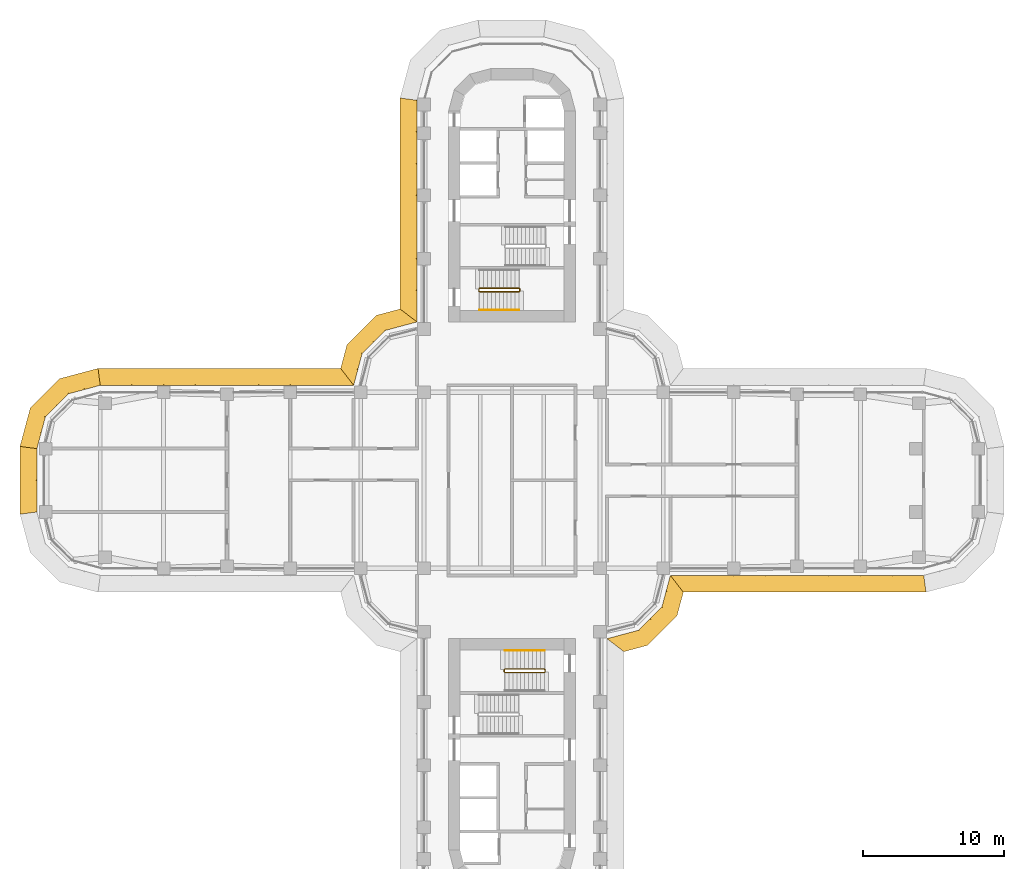
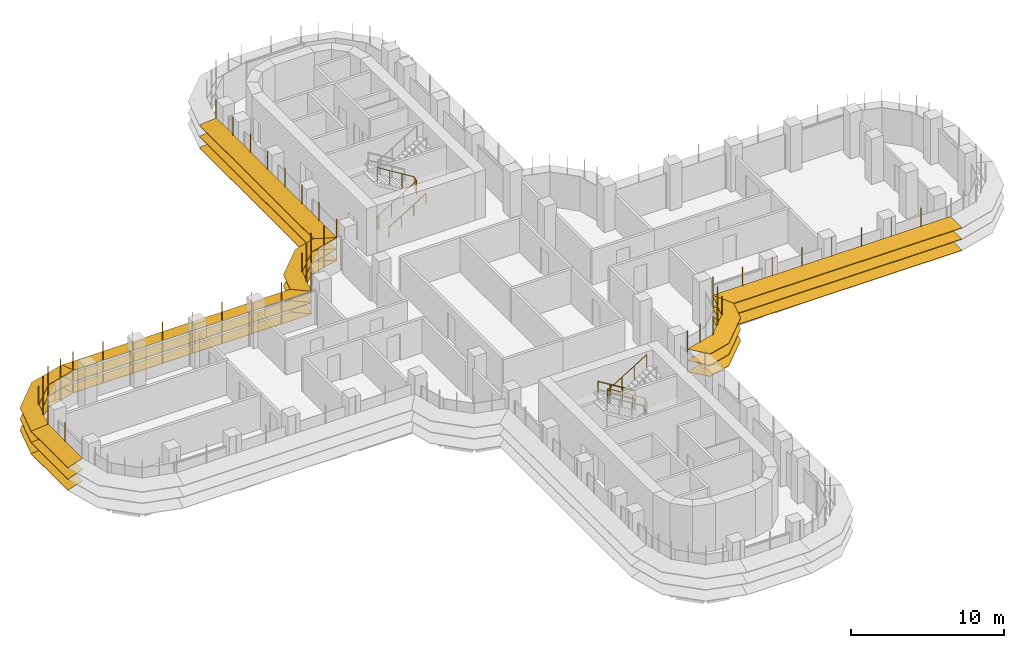
# One storey, part 20 of 22: 7 shading devices, 4 railings.
"""IFC4 building model written with IfcOpenShell, lengths in metres."""

from ifc_helpers import new_model, si_unit, direction, frame, origin, origin_2d, place, context, subcontext, project, spatial, polyline, circle, outline, extrude, faceted_brep, source, transform, mapped, material, type_object, element, save


model = new_model("IFC4")

# Units and contexts
model_context = context("Model", 3, precision=1e-05, world=origin(), true_north=direction((0.0, 1.0)))
body_context = subcontext(model_context, "Body", "Model", "MODEL_VIEW")
ifc_project = project(units=[si_unit("LENGTHUNIT", "METRE"), si_unit("AREAUNIT", "SQUARE_METRE"), si_unit("VOLUMEUNIT", "CUBIC_METRE"), si_unit("PLANEANGLEUNIT", "RADIAN"), si_unit("MASSUNIT", "GRAM", prefix="KILO")], contexts=[model_context])

# Site, building, storey
site_placement = place(None, origin())
site = spatial("IfcSite", under=ifc_project, at=site_placement, CompositionType="ELEMENT")
building_placement = place(site_placement, origin())
building = spatial("IfcBuilding", under=site, at=building_placement, Name="Zarbagh Exchange Tower", CompositionType="ELEMENT")
storey_placement = place(building_placement, frame((0.0, 0.0, 105.60009765625)))
storey = spatial("IfcBuildingStorey", under=building, at=storey_placement, Name="L24", CompositionType="ELEMENT", Elevation=105.60009765625)

# Railings
ifc_material_1 = material(Name="Stainless steel", Category="steel")
railing_type_1 = type_object("IfcRailingType", Name="Stair guard 1100 mm", PredefinedType="GUARDRAIL", material=ifc_material_1)
railing_1_placement = place(storey_placement, frame((-2.35009765625, 13.60009765625, 0.0)))
element("IfcRailing", 1, at=railing_1_placement, inside=storey, type_object=railing_type_1, Name="ST2 stair guard 1", PredefinedType="GUARDRAIL", context=body_context, shape_type="SweptSolid", body=[
    extrude(circle(Radius=0.02392578125, at=origin_2d()), frame((0.0, 0.0, 1.076171875), z_axis=(0.0, -1.0, 0.0), x_axis=(1.0, 0.0, 0.0)), (0.0, 0.0, 1.0), 0.150146484375),
    extrude(circle(Radius=0.02392578125, at=origin_2d()), frame((0.0, -0.150146484375, 1.076171875), z_axis=(0.268277960024, -0.268277960024, 0.925231793839), x_axis=(0.707106781187, 0.707106781187, 0.0)), (0.0, 0.0, 1.0), 0.1865234375),
    extrude(circle(Radius=0.02392578125, at=origin_2d()), frame((0.050048828125, -0.2001953125, 1.24853515625), z_axis=(0.851089632645, 0.0, 0.525020415988), x_axis=(0.0, 1.0, 0.0)), (0.0, 0.0, 1.0), 3.2900390625),
    extrude(circle(Radius=0.02392578125, at=origin_2d()), frame((2.85009765625, -0.2001953125, 2.97607421875), z_axis=(0.707106781187, 0.707106781187, 0.0), x_axis=(-0.707106781187, 0.707106781187, 0.0)), (0.0, 0.0, 1.0), 0.07080078125),
    extrude(circle(Radius=0.02392578125, at=origin_2d()), frame((2.900146484375, -0.150146484375, 2.97607421875), z_axis=(0.0, 1.0, 0.0), x_axis=(-1.0, 0.0, 0.0)), (0.0, 0.0, 1.0), 0.150146484375),
    extrude(circle(Radius=0.02392578125, at=origin_2d()), frame((2.900146484375, 0.0, 2.97607421875), z_axis=(-0.268371968888, 0.267062837333, 0.925556009775), x_axis=(-0.705375805398, -0.708833529934, 0.0)), (0.0, 0.0, 1.0), 0.1865234375),
    extrude(circle(Radius=0.02392578125, at=origin_2d()), frame((2.85009765625, 0.0498046875, 3.1484375), z_axis=(-0.851089632645, 0.0, 0.525020415988), x_axis=(0.0, -1.0, 0.0)), (0.0, 0.0, 1.0), 3.2900390625),
    extrude(circle(Radius=0.02099609375, at=origin_2d()), origin(), (0.0, 0.0, 1.0), 1.052001953125),
    extrude(circle(Radius=0.02099609375, at=origin_2d()), frame((0.0, -0.150146484375, 0.0)), (0.0, 0.0, 1.0), 1.052001953125),
    extrude(circle(Radius=0.02099609375, at=origin_2d()), frame((0.050048828125, -0.2001953125, 0.172607421875)), (0.0, 0.0, 1.0), 1.052001953125),
    extrude(circle(Radius=0.02099609375, at=origin_2d()), frame((0.9833984375, -0.2001953125, 0.748291015625)), (0.0, 0.0, 1.0), 1.052001953125),
    extrude(circle(Radius=0.02099609375, at=origin_2d()), frame((1.916748046875, -0.2001953125, 1.32421875)), (0.0, 0.0, 1.0), 1.052001953125),
    extrude(circle(Radius=0.02099609375, at=origin_2d()), frame((2.85009765625, -0.2001953125, 1.89990234375)), (0.0, 0.0, 1.0), 1.052001953125),
    extrude(circle(Radius=0.02099609375, at=origin_2d()), frame((2.900146484375, -0.150146484375, 1.89990234375)), (0.0, 0.0, 1.0), 1.052001953125),
    extrude(circle(Radius=0.02099609375, at=origin_2d()), frame((2.900146484375, 0.0, 1.89990234375)), (0.0, 0.0, 1.0), 1.052001953125),
    extrude(circle(Radius=0.02099609375, at=origin_2d()), frame((2.85009765625, 0.0498046875, 2.072509765625)), (0.0, 0.0, 1.0), 1.052001953125),
    extrude(circle(Radius=0.02099609375, at=origin_2d()), frame((1.916748046875, 0.0498046875, 2.648193359375)), (0.0, 0.0, 1.0), 1.052001953125),
    extrude(circle(Radius=0.02099609375, at=origin_2d()), frame((0.9833984375, 0.0498046875, 3.22412109375)), (0.0, 0.0, 1.0), 1.052001953125),
    extrude(circle(Radius=0.02099609375, at=origin_2d()), frame((0.050048828125, 0.0498046875, 3.7998046875)), (0.0, 0.0, 1.0), 1.052001953125),
])
railing_2_placement = place(storey_placement, frame((2.35009765625, -13.60009765625, 0.0)))
element("IfcRailing", 2, at=railing_2_placement, inside=storey, type_object=railing_type_1, Name="ST4 stair guard 1", PredefinedType="GUARDRAIL", context=body_context, shape_type="SweptSolid", body=[
    extrude(circle(Radius=0.02392578125, at=origin_2d()), frame((0.0, 0.0, 1.076171875), z_axis=(0.0, 1.0, 0.0), x_axis=(-1.0, 0.0, 0.0)), (0.0, 0.0, 1.0), 0.150146484375),
    extrude(circle(Radius=0.02392578125, at=origin_2d()), frame((0.0, 0.150146484375, 1.076171875), z_axis=(-0.268277960024, 0.268277960024, 0.925231793839), x_axis=(-0.707106781187, -0.707106781187, 0.0)), (0.0, 0.0, 1.0), 0.1865234375),
    extrude(circle(Radius=0.02392578125, at=origin_2d()), frame((-0.050048828125, 0.2001953125, 1.24853515625), z_axis=(-0.851089632645, 0.0, 0.525020415988), x_axis=(0.0, -1.0, 0.0)), (0.0, 0.0, 1.0), 3.2900390625),
    extrude(circle(Radius=0.02392578125, at=origin_2d()), frame((-2.85009765625, 0.2001953125, 2.97607421875), z_axis=(-0.707106781187, -0.707106781187, 0.0), x_axis=(0.707106781187, -0.707106781187, 0.0)), (0.0, 0.0, 1.0), 0.07080078125),
    extrude(circle(Radius=0.02392578125, at=origin_2d()), frame((-2.900146484375, 0.150146484375, 2.97607421875), z_axis=(0.0, -1.0, 0.0), x_axis=(1.0, 0.0, 0.0)), (0.0, 0.0, 1.0), 0.150146484375),
    extrude(circle(Radius=0.02392578125, at=origin_2d()), frame((-2.900146484375, 0.0, 2.97607421875), z_axis=(0.268371968888, -0.267062837333, 0.925556009775), x_axis=(0.705375805398, 0.708833529934, 0.0)), (0.0, 0.0, 1.0), 0.1865234375),
    extrude(circle(Radius=0.02392578125, at=origin_2d()), frame((-2.85009765625, -0.0498046875, 3.1484375), z_axis=(0.851089632645, 0.0, 0.525020415988), x_axis=(0.0, 1.0, 0.0)), (0.0, 0.0, 1.0), 3.2900390625),
    extrude(circle(Radius=0.02099609375, at=origin_2d()), origin(), (0.0, 0.0, 1.0), 1.052001953125),
    extrude(circle(Radius=0.02099609375, at=origin_2d()), frame((0.0, 0.150146484375, 0.0)), (0.0, 0.0, 1.0), 1.052001953125),
    extrude(circle(Radius=0.02099609375, at=origin_2d()), frame((-0.050048828125, 0.2001953125, 0.172607421875)), (0.0, 0.0, 1.0), 1.052001953125),
    extrude(circle(Radius=0.02099609375, at=origin_2d()), frame((-0.9833984375, 0.2001953125, 0.748291015625)), (0.0, 0.0, 1.0), 1.052001953125),
    extrude(circle(Radius=0.02099609375, at=origin_2d()), frame((-1.916748046875, 0.2001953125, 1.32421875)), (0.0, 0.0, 1.0), 1.052001953125),
    extrude(circle(Radius=0.02099609375, at=origin_2d()), frame((-2.85009765625, 0.2001953125, 1.89990234375)), (0.0, 0.0, 1.0), 1.052001953125),
    extrude(circle(Radius=0.02099609375, at=origin_2d()), frame((-2.900146484375, 0.150146484375, 1.89990234375)), (0.0, 0.0, 1.0), 1.052001953125),
    extrude(circle(Radius=0.02099609375, at=origin_2d()), frame((-2.900146484375, 0.0, 1.89990234375)), (0.0, 0.0, 1.0), 1.052001953125),
    extrude(circle(Radius=0.02099609375, at=origin_2d()), frame((-2.85009765625, -0.0498046875, 2.072509765625)), (0.0, 0.0, 1.0), 1.052001953125),
    extrude(circle(Radius=0.02099609375, at=origin_2d()), frame((-1.916748046875, -0.0498046875, 2.648193359375)), (0.0, 0.0, 1.0), 1.052001953125),
    extrude(circle(Radius=0.02099609375, at=origin_2d()), frame((-0.9833984375, -0.0498046875, 3.22412109375)), (0.0, 0.0, 1.0), 1.052001953125),
    extrude(circle(Radius=0.02099609375, at=origin_2d()), frame((-0.050048828125, -0.0498046875, 3.7998046875)), (0.0, 0.0, 1.0), 1.052001953125),
])
railing_type_2 = type_object("IfcRailingType", Name="Stair handrail 900 mm", PredefinedType="HANDRAIL", material=ifc_material_1)
railing_3_placement = place(storey_placement, frame((-2.300048828125, 12.10009765625, 0.172607421875)))
element("IfcRailing", 3, at=railing_3_placement, inside=storey, type_object=railing_type_2, Name="ST2 stair handrail 1", PredefinedType="HANDRAIL", context=body_context, shape_type="SweptSolid", body=[
    extrude(circle(Radius=0.02392578125, at=origin_2d()), frame((0.0, 0.0, 0.8759765625), z_axis=(0.851089632645, 0.0, 0.525020415988), x_axis=(0.0, 1.0, 0.0)), (0.0, 0.0, 1.0), 3.2900390625),
    extrude(circle(Radius=0.02099609375, at=origin_2d()), origin(), (0.0, 0.0, 1.0), 0.851806640625),
    extrude(circle(Radius=0.02099609375, at=origin_2d()), frame((0.933349609375, 0.0, 0.57568359375)), (0.0, 0.0, 1.0), 0.851806640625),
    extrude(circle(Radius=0.02099609375, at=origin_2d()), frame((1.86669921875, 0.0, 1.151611328125)), (0.0, 0.0, 1.0), 0.851806640625),
    extrude(circle(Radius=0.02099609375, at=origin_2d()), frame((2.800048828125, 0.0, 1.727294921875)), (0.0, 0.0, 1.0), 0.851806640625),
])
railing_4_placement = place(storey_placement, frame((2.300048828125, -12.10009765625, 0.172607421875)))
element("IfcRailing", 4, at=railing_4_placement, inside=storey, type_object=railing_type_2, Name="ST4 stair handrail 1", PredefinedType="HANDRAIL", context=body_context, shape_type="SweptSolid", body=[
    extrude(circle(Radius=0.02392578125, at=origin_2d()), frame((0.0, 0.0, 0.8759765625), z_axis=(-0.851089632645, 0.0, 0.525020415988), x_axis=(0.0, -1.0, 0.0)), (0.0, 0.0, 1.0), 3.2900390625),
    extrude(circle(Radius=0.02099609375, at=origin_2d()), origin(), (0.0, 0.0, 1.0), 0.851806640625),
    extrude(circle(Radius=0.02099609375, at=origin_2d()), frame((-0.933349609375, 0.0, 0.57568359375)), (0.0, 0.0, 1.0), 0.851806640625),
    extrude(circle(Radius=0.02099609375, at=origin_2d()), frame((-1.86669921875, 0.0, 1.151611328125)), (0.0, 0.0, 1.0), 0.851806640625),
    extrude(circle(Radius=0.02099609375, at=origin_2d()), frame((-2.800048828125, 0.0, 1.727294921875)), (0.0, 0.0, 1.0), 0.851806640625),
])

# Shading devices
ifc_material_2 = material(Name="Anodised aluminium blades and brackets", Category="aluminium")
shading_device_type = type_object("IfcShadingDeviceType", Name="SUNSHADE louvre band, 11.25 degree blades", PredefinedType="JALOUSIE", material=ifc_material_2)
shared_shape_1 = source(origin(), body_context, "Body", "Brep", [
    faceted_brep([(0.0, 0.0, 0.0), (0.0, 0.0, -0.040771484375), (-0.157958984375, -1.199951171875, -0.279541015625), (-0.157958984375, -1.199951171875, -0.23876953125), (2.65087890625, -1.199951171875, -0.23876953125), (2.65087890625, -1.199951171875, -0.279541015625), (2.329345703125, 0.0, -0.040771484375), (2.329345703125, 0.0, 0.0)], [[[0, 1, 2, 3]], [[4, 5, 6, 7]], [[0, 7, 6, 1]], [[1, 6, 5, 2]], [[2, 5, 4, 3]], [[3, 4, 7, 0]]]),
])
shared_shape_2 = source(origin(), body_context, "Body", "Brep", [
    faceted_brep([(0.0, 0.0, 0.0), (0.0, 0.0, -0.040771484375), (-0.321533203125, -1.199951171875, -0.279541015625), (-0.321533203125, -1.199951171875, -0.23876953125), (2.65087890625, -1.199951171875, -0.23876953125), (2.65087890625, -1.199951171875, -0.279541015625), (2.329345703125, 0.0, -0.040771484375), (2.329345703125, 0.0, 0.0)], [[[0, 1, 2, 3]], [[4, 5, 6, 7]], [[0, 7, 6, 1]], [[1, 6, 5, 2]], [[2, 5, 4, 3]], [[3, 4, 7, 0]]]),
])
shared_shape_3 = source(origin(), body_context, "Body", "Brep", [
    faceted_brep([(0.0, 0.0, 0.0), (0.0, 0.0, -0.040771484375), (-0.321533203125, -1.199951171875, -0.279541015625), (-0.321533203125, -1.199951171875, -0.23876953125), (2.4873046875, -1.199951171875, -0.23876953125), (2.4873046875, -1.199951171875, -0.279541015625), (2.329345703125, 0.0, -0.040771484375), (2.329345703125, 0.0, 0.0)], [[[0, 1, 2, 3]], [[4, 5, 6, 7]], [[0, 7, 6, 1]], [[1, 6, 5, 2]], [[2, 5, 4, 3]], [[3, 4, 7, 0]]]),
])
shared_shape_4 = source(origin(), body_context, "Body", "SweptSolid", [
    extrude(outline(polyline([(0.0, -0.012451171875), (0.06005859375, -0.012451171875), (0.06005859375, 0.012451171875), (0.0, 0.012451171875), (0.0, -0.012451171875)])), origin(), (0.0, 0.0, 1.0), 3.350830078125),
])
placement = place(storey_placement, origin())
element("IfcShadingDevice", 5, at=placement, inside=storey, type_object=shading_device_type, Name="SS17 sunshade band", PredefinedType="JALOUSIE", context=body_context, shape_type="MappedRepresentation", body=[
    mapped(shared_shape_1, transform((-29.25, 6.75, 2.2998046875), x_axis=(-0.965924289636, -0.258824779902, 0.0), y_axis=(0.258824779902, -0.965924289636, 0.0), z_axis=(0.0, 0.0, 1.0))),
    mapped(shared_shape_1, transform((-29.25, 6.75, 1.39990234375), x_axis=(-0.965924289636, -0.258824779902, 0.0), y_axis=(0.258824779902, -0.965924289636, 0.0), z_axis=(0.0, 0.0, 1.0))),
    mapped(shared_shape_1, transform((-29.25, 6.75, 0.5), x_axis=(-0.965924289636, -0.258824779902, 0.0), y_axis=(0.258824779902, -0.965924289636, 0.0), z_axis=(0.0, 0.0, 1.0))),
    mapped(shared_shape_2, transform((-31.5, 6.147216796875, 2.2998046875), x_axis=(-0.707106781187, -0.707106781187, 0.0), y_axis=(0.707106781187, -0.707106781187, 0.0), z_axis=(0.0, 0.0, 1.0))),
    mapped(shared_shape_2, transform((-31.5, 6.147216796875, 1.39990234375), x_axis=(-0.707106781187, -0.707106781187, 0.0), y_axis=(0.707106781187, -0.707106781187, 0.0), z_axis=(0.0, 0.0, 1.0))),
    mapped(shared_shape_2, transform((-31.5, 6.147216796875, 0.5), x_axis=(-0.707106781187, -0.707106781187, 0.0), y_axis=(0.707106781187, -0.707106781187, 0.0), z_axis=(0.0, 0.0, 1.0))),
    mapped(shared_shape_3, transform((-33.147216796875, 4.5, 2.2998046875), x_axis=(-0.258824779902, -0.965924289636, 0.0), y_axis=(0.965924289636, -0.258824779902, 0.0), z_axis=(0.0, 0.0, 1.0))),
    mapped(shared_shape_3, transform((-33.147216796875, 4.5, 1.39990234375), x_axis=(-0.258824779902, -0.965924289636, 0.0), y_axis=(0.965924289636, -0.258824779902, 0.0), z_axis=(0.0, 0.0, 1.0))),
    mapped(shared_shape_3, transform((-33.147216796875, 4.5, 0.5), x_axis=(-0.258824779902, -0.965924289636, 0.0), y_axis=(0.965924289636, -0.258824779902, 0.0), z_axis=(0.0, 0.0, 1.0))),
    mapped(shared_shape_4, transform((-29.25, 6.75, 0.42919921875), x_axis=(-0.130529263012, 0.991444457092, 0.0), y_axis=(-0.991444457092, -0.130529263012, 0.0), z_axis=(0.0, 0.0, 1.0))),
    mapped(shared_shape_4, transform((-30.375, 6.448486328125, 0.42919921875), x_axis=(-0.258825058029, 0.96592421511, 0.0), y_axis=(-0.96592421511, -0.258825058029, 0.0), z_axis=(0.0, 0.0, 1.0))),
    mapped(shared_shape_4, transform((-31.5, 6.147216796875, 0.42919921875), x_axis=(-0.50000275701, 0.866023812018, 0.0), y_axis=(-0.866023812018, -0.50000275701, 0.0), z_axis=(0.0, 0.0, 1.0))),
    mapped(shared_shape_4, transform((-32.323486328125, 5.323486328125, 0.42919921875), x_axis=(-0.707106781187, 0.707106781187, 0.0), y_axis=(-0.707106781187, -0.707106781187, 0.0), z_axis=(0.0, 0.0, 1.0))),
    mapped(shared_shape_4, transform((-33.147216796875, 4.5, 0.42919921875), x_axis=(-0.866023812018, 0.50000275701, 0.0), y_axis=(-0.50000275701, -0.866023812018, 0.0), z_axis=(0.0, 0.0, 1.0))),
    mapped(shared_shape_4, transform((-33.448486328125, 3.375, 0.42919921875), x_axis=(-0.96592421511, 0.258825058029, 0.0), y_axis=(-0.258825058029, -0.96592421511, 0.0), z_axis=(0.0, 0.0, 1.0))),
])
shared_shape_5 = source(origin(), body_context, "Body", "Brep", [
    faceted_brep([(0.0, 0.0, 0.0), (0.0, 0.0, -0.040771484375), (0.9208984375, -1.199951171875, -0.279541015625), (0.9208984375, -1.199951171875, -0.23876953125), (2.65087890625, -1.199951171875, -0.23876953125), (2.65087890625, -1.199951171875, -0.279541015625), (2.329345703125, 0.0, -0.040771484375), (2.329345703125, 0.0, 0.0)], [[[0, 1, 2, 3]], [[4, 5, 6, 7]], [[0, 7, 6, 1]], [[1, 6, 5, 2]], [[2, 5, 4, 3]], [[3, 4, 7, 0]]]),
])
shared_shape_6 = source(origin(), body_context, "Body", "Brep", [
    faceted_brep([(0.0, 0.0, 0.0), (0.0, 0.0, -0.040771484375), (-0.321533203125, -1.199951171875, -0.279541015625), (-0.321533203125, -1.199951171875, -0.23876953125), (1.40869140625, -1.199951171875, -0.23876953125), (1.40869140625, -1.199951171875, -0.279541015625), (2.329345703125, 0.0, -0.040771484375), (2.329345703125, 0.0, 0.0)], [[[0, 1, 2, 3]], [[4, 5, 6, 7]], [[0, 7, 6, 1]], [[1, 6, 5, 2]], [[2, 5, 4, 3]], [[3, 4, 7, 0]]]),
])
element("IfcShadingDevice", 6, at=placement, inside=storey, type_object=shading_device_type, Name="SS03 sunshade band", PredefinedType="JALOUSIE", context=body_context, shape_type="MappedRepresentation", body=[
    mapped(shared_shape_5, transform((6.75, -11.25, 2.2998046875), x_axis=(0.965924289636, 0.258824779902, 0.0), y_axis=(-0.258824779902, 0.965924289636, 0.0), z_axis=(0.0, 0.0, 1.0))),
    mapped(shared_shape_5, transform((6.75, -11.25, 1.39990234375), x_axis=(0.965924289636, 0.258824779902, 0.0), y_axis=(-0.258824779902, 0.965924289636, 0.0), z_axis=(0.0, 0.0, 1.0))),
    mapped(shared_shape_5, transform((6.75, -11.25, 0.5), x_axis=(0.965924289636, 0.258824779902, 0.0), y_axis=(-0.258824779902, 0.965924289636, 0.0), z_axis=(0.0, 0.0, 1.0))),
    mapped(shared_shape_2, transform((9.0, -10.647216796875, 2.2998046875), x_axis=(0.707106781187, 0.707106781187, 0.0), y_axis=(-0.707106781187, 0.707106781187, 0.0), z_axis=(0.0, 0.0, 1.0))),
    mapped(shared_shape_2, transform((9.0, -10.647216796875, 1.39990234375), x_axis=(0.707106781187, 0.707106781187, 0.0), y_axis=(-0.707106781187, 0.707106781187, 0.0), z_axis=(0.0, 0.0, 1.0))),
    mapped(shared_shape_2, transform((9.0, -10.647216796875, 0.5), x_axis=(0.707106781187, 0.707106781187, 0.0), y_axis=(-0.707106781187, 0.707106781187, 0.0), z_axis=(0.0, 0.0, 1.0))),
    mapped(shared_shape_6, transform((10.647216796875, -9.0, 2.2998046875), x_axis=(0.258824779902, 0.965924289636, 0.0), y_axis=(-0.965924289636, 0.258824779902, 0.0), z_axis=(0.0, 0.0, 1.0))),
    mapped(shared_shape_6, transform((10.647216796875, -9.0, 1.39990234375), x_axis=(0.258824779902, 0.965924289636, 0.0), y_axis=(-0.965924289636, 0.258824779902, 0.0), z_axis=(0.0, 0.0, 1.0))),
    mapped(shared_shape_6, transform((10.647216796875, -9.0, 0.5), x_axis=(0.258824779902, 0.965924289636, 0.0), y_axis=(-0.965924289636, 0.258824779902, 0.0), z_axis=(0.0, 0.0, 1.0))),
    mapped(shared_shape_4, transform((6.75, -11.25, 0.42919921875), x_axis=(0.793355287, -0.608758892, 0.0), y_axis=(0.608758892, 0.793355287, 0.0), z_axis=(0.0, 0.0, 1.0))),
    mapped(shared_shape_4, transform((7.875, -10.948486328125, 0.42919921875), x_axis=(0.258825058029, -0.96592421511, 0.0), y_axis=(0.96592421511, 0.258825058029, 0.0), z_axis=(0.0, 0.0, 1.0))),
    mapped(shared_shape_4, transform((9.0, -10.647216796875, 0.42919921875), x_axis=(0.50000275701, -0.866023812018, 0.0), y_axis=(0.866023812018, 0.50000275701, 0.0), z_axis=(0.0, 0.0, 1.0))),
    mapped(shared_shape_4, transform((9.823486328125, -9.823486328125, 0.42919921875), x_axis=(0.707106781187, -0.707106781187, 0.0), y_axis=(0.707106781187, 0.707106781187, 0.0), z_axis=(0.0, 0.0, 1.0))),
    mapped(shared_shape_4, transform((10.647216796875, -9.0, 0.42919921875), x_axis=(0.866023812018, -0.50000275701, 0.0), y_axis=(0.50000275701, 0.866023812018, 0.0), z_axis=(0.0, 0.0, 1.0))),
    mapped(shared_shape_4, transform((10.948486328125, -7.875, 0.42919921875), x_axis=(0.96592421511, -0.258825058029, 0.0), y_axis=(0.258825058029, 0.96592421511, 0.0), z_axis=(0.0, 0.0, 1.0))),
])
element("IfcShadingDevice", 7, at=placement, inside=storey, type_object=shading_device_type, Name="SS15 sunshade band", PredefinedType="JALOUSIE", context=body_context, shape_type="MappedRepresentation", body=[
    mapped(shared_shape_5, transform((-6.75, 11.25, 2.2998046875), x_axis=(-0.965924289636, -0.258824779902, 0.0), y_axis=(0.258824779902, -0.965924289636, 0.0), z_axis=(0.0, 0.0, 1.0))),
    mapped(shared_shape_5, transform((-6.75, 11.25, 1.39990234375), x_axis=(-0.965924289636, -0.258824779902, 0.0), y_axis=(0.258824779902, -0.965924289636, 0.0), z_axis=(0.0, 0.0, 1.0))),
    mapped(shared_shape_5, transform((-6.75, 11.25, 0.5), x_axis=(-0.965924289636, -0.258824779902, 0.0), y_axis=(0.258824779902, -0.965924289636, 0.0), z_axis=(0.0, 0.0, 1.0))),
    mapped(shared_shape_2, transform((-9.0, 10.647216796875, 2.2998046875), x_axis=(-0.707106781187, -0.707106781187, 0.0), y_axis=(0.707106781187, -0.707106781187, 0.0), z_axis=(0.0, 0.0, 1.0))),
    mapped(shared_shape_2, transform((-9.0, 10.647216796875, 1.39990234375), x_axis=(-0.707106781187, -0.707106781187, 0.0), y_axis=(0.707106781187, -0.707106781187, 0.0), z_axis=(0.0, 0.0, 1.0))),
    mapped(shared_shape_2, transform((-9.0, 10.647216796875, 0.5), x_axis=(-0.707106781187, -0.707106781187, 0.0), y_axis=(0.707106781187, -0.707106781187, 0.0), z_axis=(0.0, 0.0, 1.0))),
    mapped(shared_shape_6, transform((-10.647216796875, 9.0, 2.2998046875), x_axis=(-0.258824779902, -0.965924289636, 0.0), y_axis=(0.965924289636, -0.258824779902, 0.0), z_axis=(0.0, 0.0, 1.0))),
    mapped(shared_shape_6, transform((-10.647216796875, 9.0, 1.39990234375), x_axis=(-0.258824779902, -0.965924289636, 0.0), y_axis=(0.965924289636, -0.258824779902, 0.0), z_axis=(0.0, 0.0, 1.0))),
    mapped(shared_shape_6, transform((-10.647216796875, 9.0, 0.5), x_axis=(-0.258824779902, -0.965924289636, 0.0), y_axis=(0.965924289636, -0.258824779902, 0.0), z_axis=(0.0, 0.0, 1.0))),
    mapped(shared_shape_4, transform((-6.75, 11.25, 0.42919921875), x_axis=(-0.793355287, 0.608758892, 0.0), y_axis=(-0.608758892, -0.793355287, 0.0), z_axis=(0.0, 0.0, 1.0))),
    mapped(shared_shape_4, transform((-7.875, 10.948486328125, 0.42919921875), x_axis=(-0.258825058029, 0.96592421511, 0.0), y_axis=(-0.96592421511, -0.258825058029, 0.0), z_axis=(0.0, 0.0, 1.0))),
    mapped(shared_shape_4, transform((-9.0, 10.647216796875, 0.42919921875), x_axis=(-0.50000275701, 0.866023812018, 0.0), y_axis=(-0.866023812018, -0.50000275701, 0.0), z_axis=(0.0, 0.0, 1.0))),
    mapped(shared_shape_4, transform((-9.823486328125, 9.823486328125, 0.42919921875), x_axis=(-0.707106781187, 0.707106781187, 0.0), y_axis=(-0.707106781187, -0.707106781187, 0.0), z_axis=(0.0, 0.0, 1.0))),
    mapped(shared_shape_4, transform((-10.647216796875, 9.0, 0.42919921875), x_axis=(-0.866023812018, 0.50000275701, 0.0), y_axis=(-0.50000275701, -0.866023812018, 0.0), z_axis=(0.0, 0.0, 1.0))),
    mapped(shared_shape_4, transform((-10.948486328125, 7.875, 0.42919921875), x_axis=(-0.96592421511, 0.258825058029, 0.0), y_axis=(-0.258825058029, -0.96592421511, 0.0), z_axis=(0.0, 0.0, 1.0))),
])
shared_shape_7 = source(origin(), body_context, "Body", "Brep", [
    faceted_brep([(0.0, 0.0, 0.0), (0.0, 0.0, -0.040771484375), (0.9208984375, -1.199951171875, -0.279541015625), (0.9208984375, -1.199951171875, -0.23876953125), (18.157958984375, -1.199951171875, -0.23876953125), (18.157958984375, -1.199951171875, -0.279541015625), (18.0, 0.0, -0.040771484375), (18.0, 0.0, 0.0)], [[[0, 1, 2, 3]], [[4, 5, 6, 7]], [[0, 7, 6, 1]], [[1, 6, 5, 2]], [[2, 5, 4, 3]], [[3, 4, 7, 0]]]),
])
element("IfcShadingDevice", 8, at=placement, inside=storey, type_object=shading_device_type, Name="SS04 sunshade band", PredefinedType="JALOUSIE", context=body_context, shape_type="MappedRepresentation", body=[
    mapped(shared_shape_7, transform((11.25, -6.75, 2.2998046875), x_axis=(1.0, 0.0, 0.0), y_axis=(0.0, 1.0, 0.0), z_axis=(0.0, 0.0, 1.0))),
    mapped(shared_shape_7, transform((11.25, -6.75, 1.39990234375), x_axis=(1.0, 0.0, 0.0), y_axis=(0.0, 1.0, 0.0), z_axis=(0.0, 0.0, 1.0))),
    mapped(shared_shape_7, transform((11.25, -6.75, 0.5), x_axis=(1.0, 0.0, 0.0), y_axis=(0.0, 1.0, 0.0), z_axis=(0.0, 0.0, 1.0))),
    mapped(shared_shape_4, transform((11.25, -6.75, 0.42919921875), x_axis=(0.608758892, -0.793355287, 0.0), y_axis=(0.793355287, 0.608758892, 0.0), z_axis=(0.0, 0.0, 1.0))),
    mapped(shared_shape_4, transform((13.5, -6.75, 0.42919921875), x_axis=(0.0, -1.0, 0.0), y_axis=(1.0, 0.0, 0.0), z_axis=(0.0, 0.0, 1.0))),
    mapped(shared_shape_4, transform((15.75, -6.75, 0.42919921875), x_axis=(0.0, -1.0, 0.0), y_axis=(1.0, 0.0, 0.0), z_axis=(0.0, 0.0, 1.0))),
    mapped(shared_shape_4, transform((18.0, -6.75, 0.42919921875), x_axis=(0.0, -1.0, 0.0), y_axis=(1.0, 0.0, 0.0), z_axis=(0.0, 0.0, 1.0))),
    mapped(shared_shape_4, transform((20.25, -6.75, 0.42919921875), x_axis=(0.0, -1.0, 0.0), y_axis=(1.0, 0.0, 0.0), z_axis=(0.0, 0.0, 1.0))),
    mapped(shared_shape_4, transform((22.5, -6.75, 0.42919921875), x_axis=(0.0, -1.0, 0.0), y_axis=(1.0, 0.0, 0.0), z_axis=(0.0, 0.0, 1.0))),
    mapped(shared_shape_4, transform((24.75, -6.75, 0.42919921875), x_axis=(0.0, -1.0, 0.0), y_axis=(1.0, 0.0, 0.0), z_axis=(0.0, 0.0, 1.0))),
    mapped(shared_shape_4, transform((27.0, -6.75, 0.42919921875), x_axis=(0.0, -1.0, 0.0), y_axis=(1.0, 0.0, 0.0), z_axis=(0.0, 0.0, 1.0))),
])
shared_shape_8 = source(origin(), body_context, "Body", "Brep", [
    faceted_brep([(0.0, 0.0, 0.0), (0.0, 0.0, -0.040771484375), (-0.157958984375, -1.199951171875, -0.279541015625), (-0.157958984375, -1.199951171875, -0.23876953125), (14.8291015625, -1.199951171875, -0.23876953125), (14.8291015625, -1.199951171875, -0.279541015625), (15.75, 0.0, -0.040771484375), (15.75, 0.0, 0.0)], [[[0, 1, 2, 3]], [[4, 5, 6, 7]], [[0, 7, 6, 1]], [[1, 6, 5, 2]], [[2, 5, 4, 3]], [[3, 4, 7, 0]]]),
])
element("IfcShadingDevice", 9, at=placement, inside=storey, type_object=shading_device_type, Name="SS29 sunshade band", PredefinedType="JALOUSIE", context=body_context, shape_type="MappedRepresentation", body=[
    mapped(shared_shape_8, transform((-6.75, 27.0, 2.2998046875), x_axis=(0.0, -1.0, 0.0), y_axis=(1.0, 0.0, 0.0), z_axis=(0.0, 0.0, 1.0))),
    mapped(shared_shape_8, transform((-6.75, 27.0, 1.39990234375), x_axis=(0.0, -1.0, 0.0), y_axis=(1.0, 0.0, 0.0), z_axis=(0.0, 0.0, 1.0))),
    mapped(shared_shape_8, transform((-6.75, 27.0, 0.5), x_axis=(0.0, -1.0, 0.0), y_axis=(1.0, 0.0, 0.0), z_axis=(0.0, 0.0, 1.0))),
    mapped(shared_shape_4, transform((-6.75, 27.0, 0.42919921875), x_axis=(-0.991444457092, 0.130529263012, 0.0), y_axis=(-0.130529263012, -0.991444457092, 0.0), z_axis=(0.0, 0.0, 1.0))),
    mapped(shared_shape_4, transform((-6.75, 24.75, 0.42919921875), x_axis=(-1.0, 0.0, 0.0), y_axis=(0.0, -1.0, 0.0), z_axis=(0.0, 0.0, 1.0))),
    mapped(shared_shape_4, transform((-6.75, 22.5, 0.42919921875), x_axis=(-1.0, 0.0, 0.0), y_axis=(0.0, -1.0, 0.0), z_axis=(0.0, 0.0, 1.0))),
    mapped(shared_shape_4, transform((-6.75, 20.25, 0.42919921875), x_axis=(-1.0, 0.0, 0.0), y_axis=(0.0, -1.0, 0.0), z_axis=(0.0, 0.0, 1.0))),
    mapped(shared_shape_4, transform((-6.75, 18.0, 0.42919921875), x_axis=(-1.0, 0.0, 0.0), y_axis=(0.0, -1.0, 0.0), z_axis=(0.0, 0.0, 1.0))),
    mapped(shared_shape_4, transform((-6.75, 15.75, 0.42919921875), x_axis=(-1.0, 0.0, 0.0), y_axis=(0.0, -1.0, 0.0), z_axis=(0.0, 0.0, 1.0))),
    mapped(shared_shape_4, transform((-6.75, 13.5, 0.42919921875), x_axis=(-1.0, 0.0, 0.0), y_axis=(0.0, -1.0, 0.0), z_axis=(0.0, 0.0, 1.0))),
])
element("IfcShadingDevice", 10, at=placement, inside=storey, type_object=shading_device_type, Name="SS16 sunshade band", PredefinedType="JALOUSIE", context=body_context, shape_type="MappedRepresentation", body=[
    mapped(shared_shape_7, transform((-11.25, 6.75, 2.2998046875), x_axis=(-1.0, 0.0, 0.0), y_axis=(0.0, -1.0, 0.0), z_axis=(0.0, 0.0, 1.0))),
    mapped(shared_shape_7, transform((-11.25, 6.75, 1.39990234375), x_axis=(-1.0, 0.0, 0.0), y_axis=(0.0, -1.0, 0.0), z_axis=(0.0, 0.0, 1.0))),
    mapped(shared_shape_7, transform((-11.25, 6.75, 0.5), x_axis=(-1.0, 0.0, 0.0), y_axis=(0.0, -1.0, 0.0), z_axis=(0.0, 0.0, 1.0))),
    mapped(shared_shape_4, transform((-11.25, 6.75, 0.42919921875), x_axis=(-0.608758892, 0.793355287, 0.0), y_axis=(-0.793355287, -0.608758892, 0.0), z_axis=(0.0, 0.0, 1.0))),
    mapped(shared_shape_4, transform((-13.5, 6.75, 0.42919921875), x_axis=(0.0, 1.0, 0.0), y_axis=(-1.0, 0.0, 0.0), z_axis=(0.0, 0.0, 1.0))),
    mapped(shared_shape_4, transform((-15.75, 6.75, 0.42919921875), x_axis=(0.0, 1.0, 0.0), y_axis=(-1.0, 0.0, 0.0), z_axis=(0.0, 0.0, 1.0))),
    mapped(shared_shape_4, transform((-18.0, 6.75, 0.42919921875), x_axis=(0.0, 1.0, 0.0), y_axis=(-1.0, 0.0, 0.0), z_axis=(0.0, 0.0, 1.0))),
    mapped(shared_shape_4, transform((-20.25, 6.75, 0.42919921875), x_axis=(0.0, 1.0, 0.0), y_axis=(-1.0, 0.0, 0.0), z_axis=(0.0, 0.0, 1.0))),
    mapped(shared_shape_4, transform((-22.5, 6.75, 0.42919921875), x_axis=(0.0, 1.0, 0.0), y_axis=(-1.0, 0.0, 0.0), z_axis=(0.0, 0.0, 1.0))),
    mapped(shared_shape_4, transform((-24.75, 6.75, 0.42919921875), x_axis=(0.0, 1.0, 0.0), y_axis=(-1.0, 0.0, 0.0), z_axis=(0.0, 0.0, 1.0))),
    mapped(shared_shape_4, transform((-27.0, 6.75, 0.42919921875), x_axis=(0.0, 1.0, 0.0), y_axis=(-1.0, 0.0, 0.0), z_axis=(0.0, 0.0, 1.0))),
])
shared_shape_9 = source(origin(), body_context, "Body", "Brep", [
    faceted_brep([(0.0, 0.0, 0.0), (0.0, 0.0, -0.040771484375), (-0.157958984375, -1.199951171875, -0.279541015625), (-0.157958984375, -1.199951171875, -0.23876953125), (4.657958984375, -1.199951171875, -0.23876953125), (4.657958984375, -1.199951171875, -0.279541015625), (4.5, 0.0, -0.040771484375), (4.5, 0.0, 0.0)], [[[0, 1, 2, 3]], [[4, 5, 6, 7]], [[0, 7, 6, 1]], [[1, 6, 5, 2]], [[2, 5, 4, 3]], [[3, 4, 7, 0]]]),
])
element("IfcShadingDevice", 11, at=placement, inside=storey, type_object=shading_device_type, Name="SS18 sunshade band", PredefinedType="JALOUSIE", context=body_context, shape_type="MappedRepresentation", body=[
    mapped(shared_shape_9, transform((-33.75, 2.25, 2.2998046875), x_axis=(0.0, -1.0, 0.0), y_axis=(1.0, 0.0, 0.0), z_axis=(0.0, 0.0, 1.0))),
    mapped(shared_shape_9, transform((-33.75, 2.25, 1.39990234375), x_axis=(0.0, -1.0, 0.0), y_axis=(1.0, 0.0, 0.0), z_axis=(0.0, 0.0, 1.0))),
    mapped(shared_shape_9, transform((-33.75, 2.25, 0.5), x_axis=(0.0, -1.0, 0.0), y_axis=(1.0, 0.0, 0.0), z_axis=(0.0, 0.0, 1.0))),
    mapped(shared_shape_4, transform((-33.75, 2.25, 0.42919921875), x_axis=(-0.991444457092, 0.130529263012, 0.0), y_axis=(-0.130529263012, -0.991444457092, 0.0), z_axis=(0.0, 0.0, 1.0))),
    mapped(shared_shape_4, transform((-33.75, 0.0, 0.42919921875), x_axis=(-1.0, 0.0, 0.0), y_axis=(0.0, -1.0, 0.0), z_axis=(0.0, 0.0, 1.0))),
])

save(model, "model.ifc")
